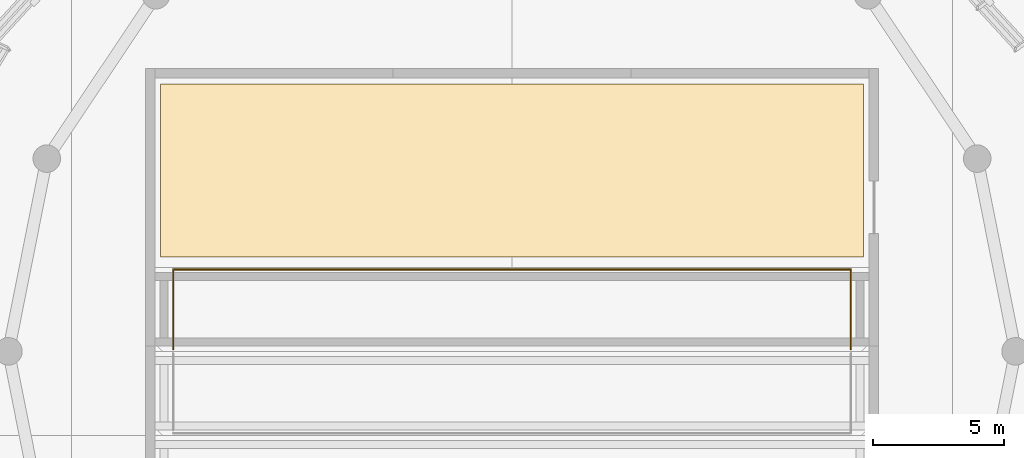
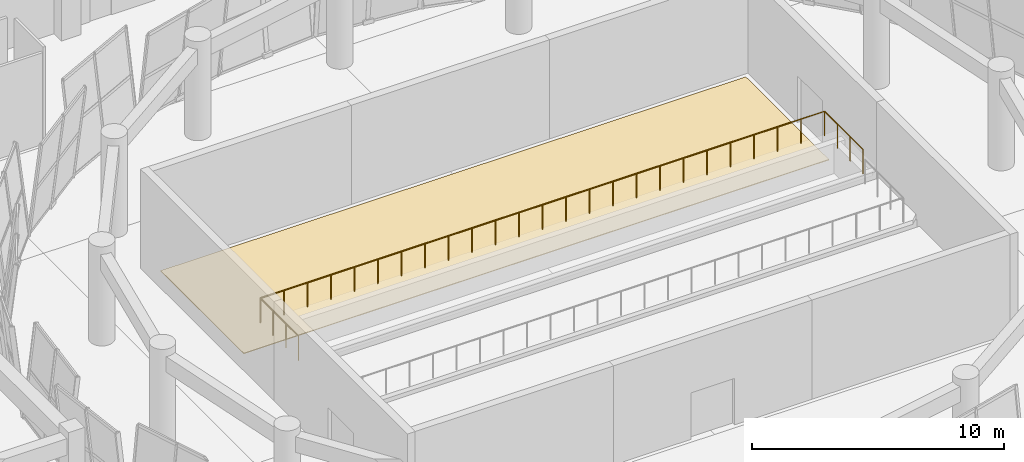
# One storey, part 67 of 72: 1 covering, 1 railing.
"""IFC4 building model written with IfcOpenShell, lengths in metres."""

from ifc_helpers import new_model, si_unit, direction, frame, origin, origin_2d, place, context, subcontext, project, spatial, polyline, circle, outline, extrude, material, layer, layer_set, type_object, element, save


model = new_model("IFC4")

# Units and contexts
model_context = context("Model", 3, precision=1e-05, world=origin(), true_north=direction((0.0, 1.0)))
body_context = subcontext(model_context, "Body", "Model", "MODEL_VIEW")
ifc_project = project(units=[si_unit("LENGTHUNIT", "METRE"), si_unit("AREAUNIT", "SQUARE_METRE"), si_unit("VOLUMEUNIT", "CUBIC_METRE"), si_unit("PLANEANGLEUNIT", "RADIAN"), si_unit("MASSUNIT", "GRAM", prefix="KILO")], contexts=[model_context])

# Site, building, storey
site_placement = place(None, origin())
site = spatial("IfcSite", under=ifc_project, at=site_placement, CompositionType="ELEMENT")
building_placement = place(site_placement, origin())
building = spatial("IfcBuilding", under=site, at=building_placement, Name="Korsvaeld Concert Hall", CompositionType="ELEMENT")
storey_placement = place(building_placement, origin())
storey = spatial("IfcBuildingStorey", under=building, at=storey_placement, Name="L00", CompositionType="ELEMENT", Elevation=0.0)

# Covering
ifc_material_1 = material(Name="Sprung European oak stage and foyer flooring")
ifc_layer = layer(ifc_material_1, 0.034912109375)
ifc_layer_set = layer_set([ifc_layer], Name="Sprung European oak stage and foyer flooring")
covering_type = type_object("IfcCoveringType", Name="COV-FLOOR-OAK", PredefinedType="FLOORING", material=ifc_layer_set)
covering_placement = place(storey_placement, origin())
element("IfcCovering", 1, at=covering_placement, inside=storey, type_object=covering_type, Name="Sprung oak acoustic floor L00-02", PredefinedType="FLOORING", context=body_context, shape_type="SweptSolid", body=[
    extrude(outline(polyline([(70.60009765625, 73.39990234375), (97.39990234375, 73.39990234375), (97.39990234375, 66.800048828125), (70.60009765625, 66.800048828125), (70.60009765625, 73.39990234375)])), origin(), (0.0, 0.0, 1.0), 0.034912109375),
])

# Railing
ifc_material_2 = material(Name="Acoustic laminated glass and oak auditorium balustrade", Category="glass")
railing_type = type_object("IfcRailingType", Name="RL-VOID-BAL-120", PredefinedType="BALUSTRADE", material=ifc_material_2)
railing_placement = place(storey_placement, frame((71.080078125, 63.280029296875, 1.64990234375)))
element("IfcRailing", 2, at=railing_placement, inside=storey, type_object=railing_type, Name="Auditorium acoustic balustrade V1-STALL-T4", PredefinedType="BALUSTRADE", context=body_context, shape_type="SweptSolid", body=[
    extrude(circle(Radius=0.02392578125, at=origin_2d()), frame((0.0, 0.0, 1.17578125), z_axis=(0.0, 1.0, 0.0), x_axis=(-1.0, 0.0, 0.0)), (0.0, 0.0, 1.0), 3.0400390625),
    extrude(circle(Radius=0.02392578125, at=origin_2d()), frame((0.0, 3.0400390625, 1.17578125), z_axis=(1.0, 0.0, 0.0), x_axis=(0.0, 1.0, 0.0)), (0.0, 0.0, 1.0), 25.83984375),
    extrude(circle(Radius=0.02392578125, at=origin_2d()), frame((25.83984375, 3.0400390625, 1.17578125), z_axis=(0.0, -1.0, 0.0), x_axis=(1.0, 0.0, 0.0)), (0.0, 0.0, 1.0), 3.0400390625),
    extrude(circle(Radius=0.02099609375, at=origin_2d()), origin(), (0.0, 0.0, 1.0), 1.15185546875),
    extrude(circle(Radius=0.02099609375, at=origin_2d()), frame((0.0, 1.013427734375, 0.0)), (0.0, 0.0, 1.0), 1.15185546875),
    extrude(circle(Radius=0.02099609375, at=origin_2d()), frame((0.0, 2.026611328125, 0.0)), (0.0, 0.0, 1.0), 1.15185546875),
    extrude(circle(Radius=0.02099609375, at=origin_2d()), frame((0.0, 3.0400390625, 0.0)), (0.0, 0.0, 1.0), 1.15185546875),
    extrude(circle(Radius=0.02099609375, at=origin_2d()), frame((1.07666015625, 3.0400390625, 0.0)), (0.0, 0.0, 1.0), 1.15185546875),
    extrude(circle(Radius=0.02099609375, at=origin_2d()), frame((2.1533203125, 3.0400390625, 0.0)), (0.0, 0.0, 1.0), 1.15185546875),
    extrude(circle(Radius=0.02099609375, at=origin_2d()), frame((3.22998046875, 3.0400390625, 0.0)), (0.0, 0.0, 1.0), 1.15185546875),
    extrude(circle(Radius=0.02099609375, at=origin_2d()), frame((4.306640625, 3.0400390625, 0.0)), (0.0, 0.0, 1.0), 1.15185546875),
    extrude(circle(Radius=0.02099609375, at=origin_2d()), frame((5.38330078125, 3.0400390625, 0.0)), (0.0, 0.0, 1.0), 1.15185546875),
    extrude(circle(Radius=0.02099609375, at=origin_2d()), frame((6.4599609375, 3.0400390625, 0.0)), (0.0, 0.0, 1.0), 1.15185546875),
    extrude(circle(Radius=0.02099609375, at=origin_2d()), frame((7.53662109375, 3.0400390625, 0.0)), (0.0, 0.0, 1.0), 1.15185546875),
    extrude(circle(Radius=0.02099609375, at=origin_2d()), frame((8.61328125, 3.0400390625, 0.0)), (0.0, 0.0, 1.0), 1.15185546875),
    extrude(circle(Radius=0.02099609375, at=origin_2d()), frame((9.68994140625, 3.0400390625, 0.0)), (0.0, 0.0, 1.0), 1.15185546875),
    extrude(circle(Radius=0.02099609375, at=origin_2d()), frame((10.7666015625, 3.0400390625, 0.0)), (0.0, 0.0, 1.0), 1.15185546875),
    extrude(circle(Radius=0.02099609375, at=origin_2d()), frame((11.84326171875, 3.0400390625, 0.0)), (0.0, 0.0, 1.0), 1.15185546875),
    extrude(circle(Radius=0.02099609375, at=origin_2d()), frame((12.919921875, 3.0400390625, 0.0)), (0.0, 0.0, 1.0), 1.15185546875),
    extrude(circle(Radius=0.02099609375, at=origin_2d()), frame((13.99658203125, 3.0400390625, 0.0)), (0.0, 0.0, 1.0), 1.15185546875),
    extrude(circle(Radius=0.02099609375, at=origin_2d()), frame((15.0732421875, 3.0400390625, 0.0)), (0.0, 0.0, 1.0), 1.15185546875),
    extrude(circle(Radius=0.02099609375, at=origin_2d()), frame((16.14990234375, 3.0400390625, 0.0)), (0.0, 0.0, 1.0), 1.15185546875),
    extrude(circle(Radius=0.02099609375, at=origin_2d()), frame((17.2265625, 3.0400390625, 0.0)), (0.0, 0.0, 1.0), 1.15185546875),
    extrude(circle(Radius=0.02099609375, at=origin_2d()), frame((18.30322265625, 3.0400390625, 0.0)), (0.0, 0.0, 1.0), 1.15185546875),
    extrude(circle(Radius=0.02099609375, at=origin_2d()), frame((19.3798828125, 3.0400390625, 0.0)), (0.0, 0.0, 1.0), 1.15185546875),
    extrude(circle(Radius=0.02099609375, at=origin_2d()), frame((20.45654296875, 3.0400390625, 0.0)), (0.0, 0.0, 1.0), 1.15185546875),
    extrude(circle(Radius=0.02099609375, at=origin_2d()), frame((21.533203125, 3.0400390625, 0.0)), (0.0, 0.0, 1.0), 1.15185546875),
    extrude(circle(Radius=0.02099609375, at=origin_2d()), frame((22.60986328125, 3.0400390625, 0.0)), (0.0, 0.0, 1.0), 1.15185546875),
    extrude(circle(Radius=0.02099609375, at=origin_2d()), frame((23.6865234375, 3.0400390625, 0.0)), (0.0, 0.0, 1.0), 1.15185546875),
    extrude(circle(Radius=0.02099609375, at=origin_2d()), frame((24.76318359375, 3.0400390625, 0.0)), (0.0, 0.0, 1.0), 1.15185546875),
    extrude(circle(Radius=0.02099609375, at=origin_2d()), frame((25.83984375, 3.0400390625, 0.0)), (0.0, 0.0, 1.0), 1.15185546875),
    extrude(circle(Radius=0.02099609375, at=origin_2d()), frame((25.83984375, 2.026611328125, 0.0)), (0.0, 0.0, 1.0), 1.15185546875),
    extrude(circle(Radius=0.02099609375, at=origin_2d()), frame((25.83984375, 1.013427734375, 0.0)), (0.0, 0.0, 1.0), 1.15185546875),
    extrude(circle(Radius=0.02099609375, at=origin_2d()), frame((25.83984375, 0.0, 0.0)), (0.0, 0.0, 1.0), 1.15185546875),
])

save(model, "model.ifc")
